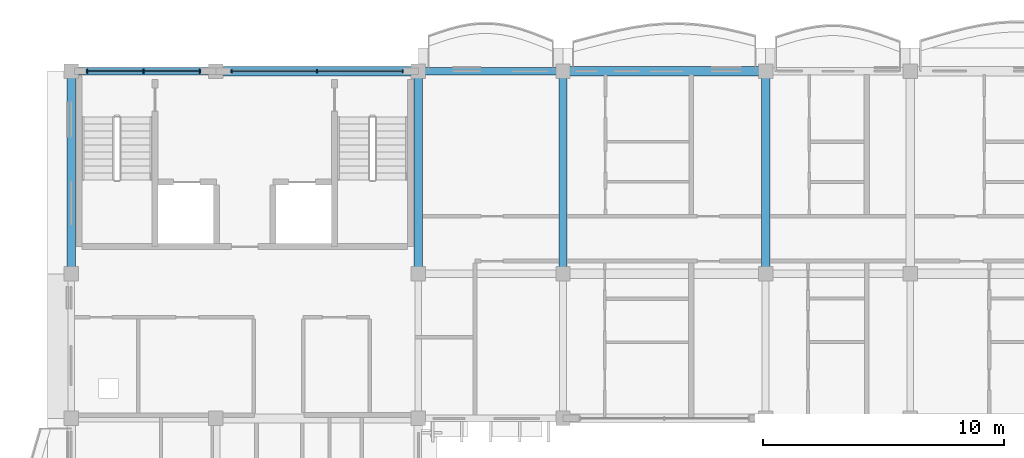
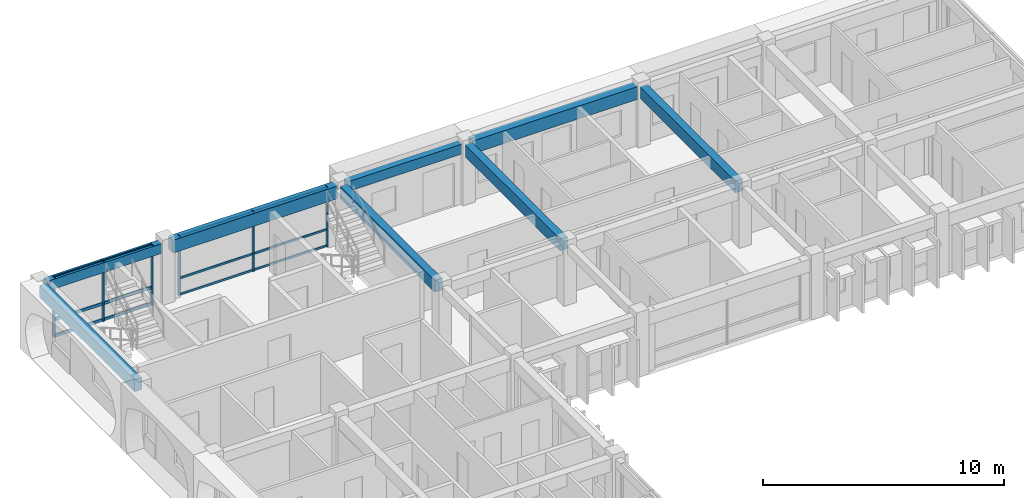
# One storey, part 10 of 54: 12 members, 8 beams, 2 elements without a shape of their own.
"""IFC4 building model written with IfcOpenShell, lengths in metres."""

from ifc_helpers import new_model, si_unit, direction, frame, origin, origin_2d, place, context, subcontext, project, spatial, rectangle, extrude, material, material_profile, profile_set, type_object, element, aggregate, save


model = new_model("IFC4")

# Units and contexts
model_context = context("Model", 3, precision=1e-05, world=origin(), true_north=direction((0.0, 1.0)))
body_context = subcontext(model_context, "Body", "Model", "MODEL_VIEW")
ifc_project = project(units=[si_unit("LENGTHUNIT", "METRE"), si_unit("AREAUNIT", "SQUARE_METRE"), si_unit("VOLUMEUNIT", "CUBIC_METRE"), si_unit("PLANEANGLEUNIT", "RADIAN"), si_unit("MASSUNIT", "GRAM", prefix="KILO"), si_unit("THERMODYNAMICTEMPERATUREUNIT", "KELVIN")], contexts=[model_context])

# Site, building, storey
site_placement = place(None, origin())
site = spatial("IfcSite", under=ifc_project, at=site_placement, CompositionType="ELEMENT")
building_placement = place(site_placement, origin())
building = spatial("IfcBuilding", under=site, at=building_placement, Name="Thalorik Housing Commons", CompositionType="ELEMENT")
storey_placement = place(building_placement, frame((0.0, 0.0, 31.199951171875)))
storey = spatial("IfcBuildingStorey", under=building, at=storey_placement, Name="L09", CompositionType="ELEMENT", Elevation=31.199951171875)

# Curtain wall, members
ifc_material_1 = material(Name="Anodised aluminium and solar-control low-E glass", Category="aluminium")
curtain_wall_type = type_object("IfcCurtainWallType", Name="ARC-CW-CORE", PredefinedType="USERDEFINED", material=ifc_material_1)
curtain_wall_1_placement = place(storey_placement, origin())
curtain_wall_1 = element("IfcCurtainWall", 1, at=curtain_wall_1_placement, inside=storey, type_object=curtain_wall_type, Name="L09 Curtain Wall CW-CORE-L09-A-040", ObjectType="CURTAIN WALL", PredefinedType="USERDEFINED")
ifc_material_2 = material(Name="Anodised aluminium 6063-T6", Category="aluminium")
ifc_material_profile_1 = material_profile(ifc_material_2, rectangle(XDim=0.054931640625, YDim=0.139892578125, at=origin_2d()), Name="ALU MUL 55x140", Category="aluminium")
ifc_profile_set_1 = profile_set([ifc_material_profile_1], Name="Anodised aluminium 6063-T6")
member_type_1 = type_object("IfcMemberType", Name="ARC-CW-MUL-55x140", PredefinedType="MULLION", material=ifc_profile_set_1)
member_1_placement = place(storey_placement, frame((22.14990234375, 123.60009765625, 0.0), z_axis=(0.0, 0.0, 1.0), x_axis=(-1.0, 0.0, 0.0)))
member_1 = element("IfcMember", 2, at=member_1_placement, type_object=member_type_1, Name="CW-CORE-L09-A-040 Mullion 1", PredefinedType="MULLION", context=body_context, shape_type="SweptSolid", body=[
    extrude(rectangle(XDim=0.054931640625, YDim=0.139892578125, at=origin_2d()), origin(), (0.0, 0.0, 1.0), 3.0400390625),
])
member_2_placement = place(storey_placement, frame((18.60009765625, 123.60009765625, 0.0), z_axis=(0.0, 0.0, 1.0), x_axis=(-1.0, 0.0, 0.0)))
member_2 = element("IfcMember", 3, at=member_2_placement, type_object=member_type_1, Name="CW-CORE-L09-A-040 Mullion 2", PredefinedType="MULLION", context=body_context, shape_type="SweptSolid", body=[
    extrude(rectangle(XDim=0.054931640625, YDim=0.139892578125, at=origin_2d()), origin(), (0.0, 0.0, 1.0), 3.0400390625),
])
member_3_placement = place(storey_placement, frame((15.050048828125, 123.60009765625, 0.0), z_axis=(0.0, 0.0, 1.0), x_axis=(-1.0, 0.0, 0.0)))
member_3 = element("IfcMember", 4, at=member_3_placement, type_object=member_type_1, Name="CW-CORE-L09-A-040 Mullion 3", PredefinedType="MULLION", context=body_context, shape_type="SweptSolid", body=[
    extrude(rectangle(XDim=0.054931640625, YDim=0.139892578125, at=origin_2d()), origin(), (0.0, 0.0, 1.0), 3.0400390625),
])

curtain_wall_2_placement = place(storey_placement, origin())
curtain_wall_2 = element("IfcCurtainWall", 5, at=curtain_wall_2_placement, inside=storey, type_object=curtain_wall_type, Name="L09 Curtain Wall CW-CORE-L09-A-041", ObjectType="CURTAIN WALL", PredefinedType="USERDEFINED")
ifc_material_profile_2 = material_profile(ifc_material_2, rectangle(XDim=0.06494140625, YDim=0.179931640625, at=origin_2d()), Name="ALU MUL 65x180", Category="aluminium")
ifc_profile_set_2 = profile_set([ifc_material_profile_2], Name="Anodised aluminium 6063-T6")
member_type_2 = type_object("IfcMemberType", Name="ARC-CW-MUL-65x180", PredefinedType="MULLION", material=ifc_profile_set_2)
member_4_placement = place(storey_placement, frame((13.75, 123.60009765625, 0.0), z_axis=(0.0, 0.0, 1.0), x_axis=(-1.0, 0.0, 0.0)))
member_4 = element("IfcMember", 6, at=member_4_placement, type_object=member_type_2, Name="CW-CORE-L09-A-041 Mullion 1", PredefinedType="MULLION", context=body_context, shape_type="SweptSolid", body=[
    extrude(rectangle(XDim=0.06494140625, YDim=0.179931640625, at=origin_2d()), origin(), (0.0, 0.0, 1.0), 3.0400390625),
])
member_5_placement = place(storey_placement, frame((11.39990234375, 123.60009765625, 0.0), z_axis=(0.0, 0.0, 1.0), x_axis=(-1.0, 0.0, 0.0)))
member_5 = element("IfcMember", 7, at=member_5_placement, type_object=member_type_2, Name="CW-CORE-L09-A-041 Mullion 2", PredefinedType="MULLION", context=body_context, shape_type="SweptSolid", body=[
    extrude(rectangle(XDim=0.06494140625, YDim=0.179931640625, at=origin_2d()), origin(), (0.0, 0.0, 1.0), 3.0400390625),
])
member_6_placement = place(storey_placement, frame((9.050048828125, 123.60009765625, 0.0), z_axis=(0.0, 0.0, 1.0), x_axis=(-1.0, 0.0, 0.0)))
member_6 = element("IfcMember", 8, at=member_6_placement, type_object=member_type_2, Name="CW-CORE-L09-A-041 Mullion 3", PredefinedType="MULLION", context=body_context, shape_type="SweptSolid", body=[
    extrude(rectangle(XDim=0.06494140625, YDim=0.179931640625, at=origin_2d()), origin(), (0.0, 0.0, 1.0), 3.0400390625),
])

# Member
ifc_material_profile_3 = material_profile(ifc_material_2, rectangle(XDim=0.054931640625, YDim=0.10498046875, at=origin_2d()), Name="ALU TRN 55x105", Category="aluminium")
ifc_profile_set_3 = profile_set([ifc_material_profile_3], Name="Anodised aluminium 6063-T6")
member_type_3 = type_object("IfcMemberType", Name="ARC-CW-TRN-55x105", PredefinedType="USERDEFINED", material=ifc_profile_set_3)
member_7_placement = place(storey_placement, frame((22.14990234375, 123.60009765625, 0.054931640625), z_axis=(-1.0, 0.0, 0.0), x_axis=(0.0, -1.0, 0.0)))
member_7 = element("IfcMember", 9, at=member_7_placement, type_object=member_type_3, Name="CW-CORE-L09-A-040 Transom 1", ObjectType="TRANSOM", PredefinedType="USERDEFINED", context=body_context, shape_type="SweptSolid", body=[
    extrude(rectangle(XDim=0.054931640625, YDim=0.10498046875, at=origin_2d()), origin(), (0.0, 0.0, 1.0), 7.099853515625),
])

member_8_placement = place(storey_placement, frame((22.14990234375, 123.60009765625, 0.880126953125), z_axis=(-1.0, 0.0, 0.0), x_axis=(0.0, -1.0, 0.0)))
member_8 = element("IfcMember", 10, at=member_8_placement, type_object=member_type_3, Name="CW-CORE-L09-A-040 Transom 2", ObjectType="TRANSOM", PredefinedType="USERDEFINED", context=body_context, shape_type="SweptSolid", body=[
    extrude(rectangle(XDim=0.054931640625, YDim=0.10498046875, at=origin_2d()), origin(), (0.0, 0.0, 1.0), 7.099853515625),
])

member_9_placement = place(storey_placement, frame((22.14990234375, 123.60009765625, 2.985107421875), z_axis=(-1.0, 0.0, 0.0), x_axis=(0.0, -1.0, 0.0)))
member_9 = element("IfcMember", 11, at=member_9_placement, type_object=member_type_3, Name="CW-CORE-L09-A-040 Transom 3", ObjectType="TRANSOM", PredefinedType="USERDEFINED", context=body_context, shape_type="SweptSolid", body=[
    extrude(rectangle(XDim=0.054931640625, YDim=0.10498046875, at=origin_2d()), origin(), (0.0, 0.0, 1.0), 7.099853515625),
])

aggregate(curtain_wall_1, [member_1, member_2, member_3, member_7, member_8, member_9])

ifc_material_profile_4 = material_profile(ifc_material_2, rectangle(XDim=0.06494140625, YDim=0.14990234375, at=origin_2d()), Name="ALU TRN 65x150", Category="aluminium")
ifc_profile_set_4 = profile_set([ifc_material_profile_4], Name="Anodised aluminium 6063-T6")
member_type_4 = type_object("IfcMemberType", Name="ARC-CW-TRN-65x150", PredefinedType="USERDEFINED", material=ifc_profile_set_4)
member_10_placement = place(storey_placement, frame((13.75, 123.60009765625, 0.054931640625), z_axis=(-1.0, 0.0, 0.0), x_axis=(0.0, -1.0, 0.0)))
member_10 = element("IfcMember", 12, at=member_10_placement, type_object=member_type_4, Name="CW-CORE-L09-A-041 Transom 1", ObjectType="TRANSOM", PredefinedType="USERDEFINED", context=body_context, shape_type="SweptSolid", body=[
    extrude(rectangle(XDim=0.06494140625, YDim=0.14990234375, at=origin_2d()), origin(), (0.0, 0.0, 1.0), 4.699951171875),
])

member_11_placement = place(storey_placement, frame((13.75, 123.60009765625, 0.880126953125), z_axis=(-1.0, 0.0, 0.0), x_axis=(0.0, -1.0, 0.0)))
member_11 = element("IfcMember", 13, at=member_11_placement, type_object=member_type_4, Name="CW-CORE-L09-A-041 Transom 2", ObjectType="TRANSOM", PredefinedType="USERDEFINED", context=body_context, shape_type="SweptSolid", body=[
    extrude(rectangle(XDim=0.06494140625, YDim=0.14990234375, at=origin_2d()), origin(), (0.0, 0.0, 1.0), 4.699951171875),
])

member_12_placement = place(storey_placement, frame((13.75, 123.60009765625, 2.985107421875), z_axis=(-1.0, 0.0, 0.0), x_axis=(0.0, -1.0, 0.0)))
member_12 = element("IfcMember", 14, at=member_12_placement, type_object=member_type_4, Name="CW-CORE-L09-A-041 Transom 3", ObjectType="TRANSOM", PredefinedType="USERDEFINED", context=body_context, shape_type="SweptSolid", body=[
    extrude(rectangle(XDim=0.06494140625, YDim=0.14990234375, at=origin_2d()), origin(), (0.0, 0.0, 1.0), 4.699951171875),
])

aggregate(curtain_wall_2, [member_4, member_5, member_6, member_10, member_11, member_12])

# Beams
ifc_material_3 = material(Name="Precast concrete C40/50", Category="concrete")
ifc_material_profile_5 = material_profile(ifc_material_3, rectangle(XDim=0.300048828125, YDim=0.5, at=origin_2d()), Name="PC 300x500", Category="concrete")
ifc_profile_set_5 = profile_set([ifc_material_profile_5], Name="Precast concrete C40/50")
beam_type_1 = type_object("IfcBeamType", Name="STR-BM-PC300x500", PredefinedType="BEAM", material=ifc_profile_set_5)
for number, where, z_axis, x_axis, name in (
    (15, (8.64990234375, 123.60009765625, 2.7900390625), (1.0, 0.0, 0.0), (0.0, 1.0, 0.0), "L09 Beam B-500"),
    (16, (23.050048828125, 123.60009765625, 2.7900390625), (1.0, 0.0, 0.0), (0.0, 1.0, 0.0), "L09 Beam B-500"),
):
    element("IfcBeam", number, at=place(storey_placement, frame(where, z_axis=z_axis, x_axis=x_axis)), inside=storey, type_object=beam_type_1, Name=name, PredefinedType="BEAM", context=body_context, shape_type="SweptSolid", body=[
        extrude(rectangle(XDim=0.300048828125, YDim=0.5, at=origin_2d()), origin(), (0.0, 0.0, 1.0), 5.5),
    ])
ifc_material_profile_6 = material_profile(ifc_material_3, rectangle(XDim=0.35009765625, YDim=0.60009765625, at=origin_2d()), Name="PC 350x600", Category="concrete")
ifc_profile_set_6 = profile_set([ifc_material_profile_6], Name="Precast concrete C40/50")
beam_type_2 = type_object("IfcBeamType", Name="STR-BM-PC350x600", PredefinedType="BEAM", material=ifc_profile_set_6)
for number, where, z_axis, x_axis, name in (
    (17, (8.39990234375, 115.449951171875, 2.739990234375), (0.0, 1.0, 0.0), (-1.0, 0.0, 0.0), "L09 Beam B-600"),
    (18, (22.800048828125, 115.449951171875, 2.739990234375), (0.0, 1.0, 0.0), (-1.0, 0.0, 0.0), "L09 Beam B-600"),
    (19, (28.800048828125, 115.449951171875, 2.739990234375), (0.0, 1.0, 0.0), (-1.0, 0.0, 0.0), "L09 Beam B-600"),
    (20, (37.199951171875, 115.449951171875, 2.739990234375), (0.0, 1.0, 0.0), (-1.0, 0.0, 0.0), "L09 Beam B-600"),
):
    element("IfcBeam", number, at=place(storey_placement, frame(where, z_axis=z_axis, x_axis=x_axis)), inside=storey, type_object=beam_type_2, Name=name, PredefinedType="BEAM", context=body_context, shape_type="SweptSolid", body=[
        extrude(rectangle(XDim=0.35009765625, YDim=0.60009765625, at=origin_2d()), origin(), (0.0, 0.0, 1.0), 7.900146484375),
    ])
ifc_material_profile_7 = material_profile(ifc_material_3, rectangle(XDim=0.3798828125, YDim=0.64990234375, at=origin_2d()), Name="PC 380x650", Category="concrete")
ifc_profile_set_7 = profile_set([ifc_material_profile_7], Name="Precast concrete C40/50")
beam_type_3 = type_object("IfcBeamType", Name="STR-BM-PC380x650", PredefinedType="BEAM", material=ifc_profile_set_7)
beam_1_placement = place(storey_placement, frame((14.64990234375, 123.60009765625, 2.715087890625), z_axis=(1.0, 0.0, 0.0), x_axis=(0.0, 1.0, 0.0)))
element("IfcBeam", 21, at=beam_1_placement, inside=storey, type_object=beam_type_3, Name="L09 Beam B-650", PredefinedType="BEAM", context=body_context, shape_type="SweptSolid", body=[
    extrude(rectangle(XDim=0.3798828125, YDim=0.64990234375, at=origin_2d()), origin(), (0.0, 0.0, 1.0), 7.900146484375),
])
beam_2_placement = place(storey_placement, frame((29.050048828125, 123.60009765625, 2.715087890625), z_axis=(1.0, 0.0, 0.0), x_axis=(0.0, 1.0, 0.0)))
element("IfcBeam", 22, at=beam_2_placement, inside=storey, type_object=beam_type_3, Name="L09 Beam B-650", PredefinedType="BEAM", context=body_context, shape_type="SweptSolid", body=[
    extrude(rectangle(XDim=0.3798828125, YDim=0.64990234375, at=origin_2d()), origin(), (0.0, 0.0, 1.0), 7.89990234375),
])

save(model, "model.ifc")
